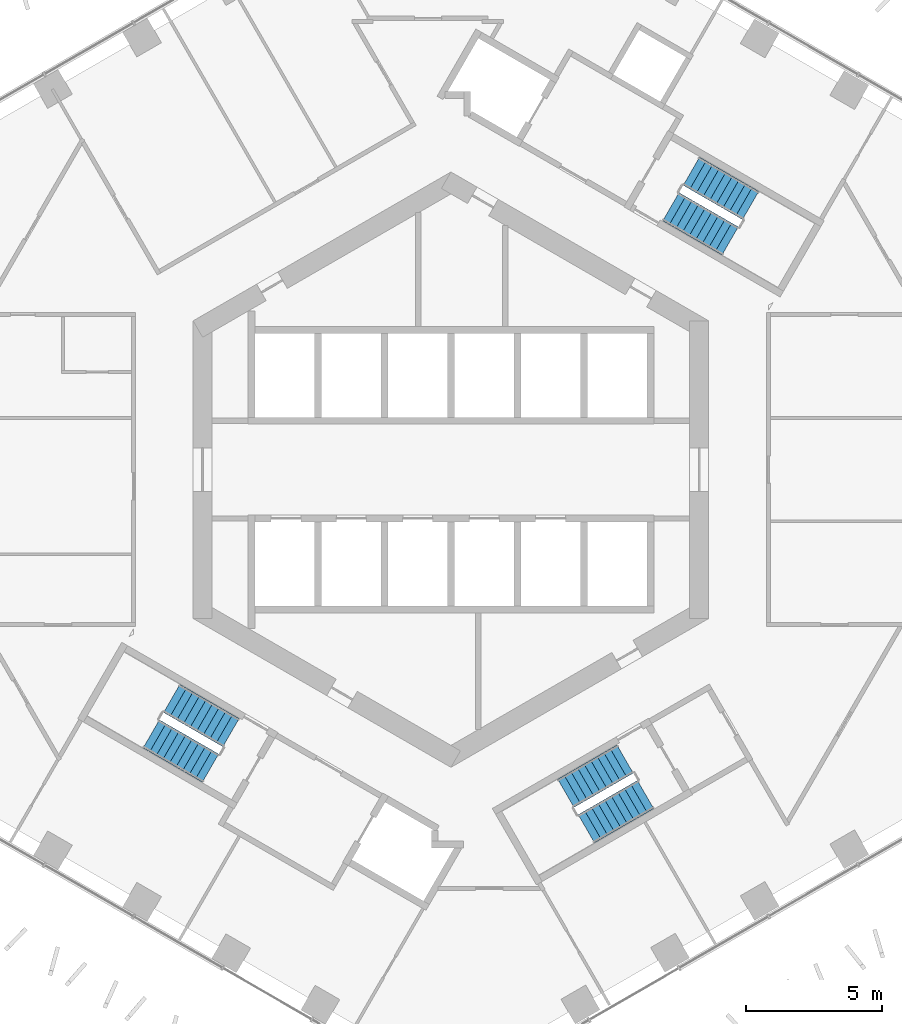
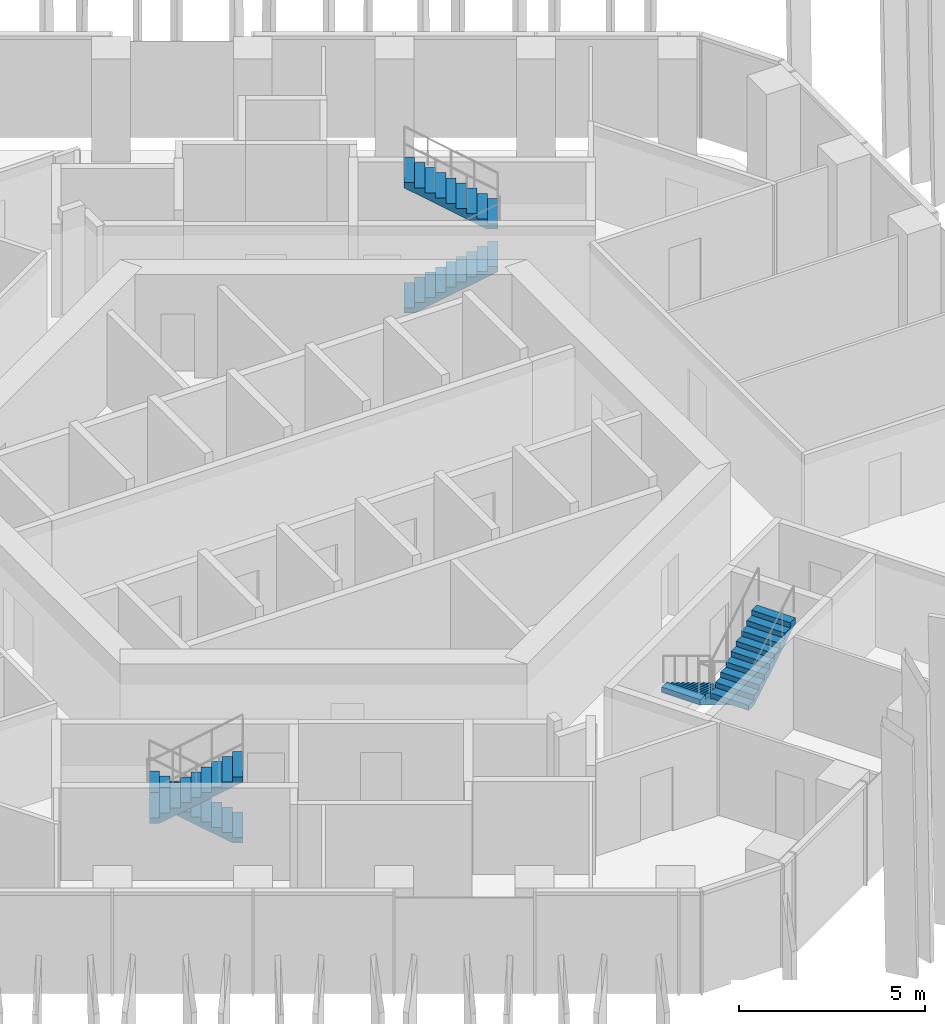
# One storey, part 15 of 18: 6 stair flights, 3 elements without a shape of their own.
"""IFC4 building model written with IfcOpenShell, lengths in metres."""

from ifc_helpers import new_model, si_unit, direction, frame, origin, place, context, subcontext, project, spatial, triangles, material, type_object, element, aggregate, save


model = new_model("IFC4")

# Units and contexts
model_context = context("Model", 3, precision=1e-05, world=origin(), true_north=direction((0.0, 1.0)))
body_context = subcontext(model_context, "Body", "Model", "MODEL_VIEW")
ifc_project = project(units=[si_unit("LENGTHUNIT", "METRE"), si_unit("AREAUNIT", "SQUARE_METRE"), si_unit("VOLUMEUNIT", "CUBIC_METRE"), si_unit("PLANEANGLEUNIT", "RADIAN"), si_unit("MASSUNIT", "GRAM", prefix="KILO")], contexts=[model_context])

# Site, building, storey
site_placement = place(None, origin())
site = spatial("IfcSite", under=ifc_project, at=site_placement, CompositionType="ELEMENT")
building_placement = place(site_placement, origin())
building = spatial("IfcBuilding", under=site, at=building_placement, Name="Ayvan Gate Tower", CompositionType="ELEMENT")
storey_placement = place(building_placement, frame((0.0, 0.0, 83.10009765625)))
storey = spatial("IfcBuildingStorey", under=building, at=storey_placement, Name="L21", CompositionType="ELEMENT", Elevation=83.10009765625)

# Stair, stair flights
ifc_material = material(Name="Concrete C40/50", Category="concrete")
stair_type = type_object("IfcStairType", Name="ST-EXIT", PredefinedType="HALF_TURN_STAIR", material=ifc_material)
stair_1_placement = place(storey_placement, origin())
stair_1 = element("IfcStair", 1, at=stair_1_placement, inside=storey, type_object=stair_type, Name="L21 Exit Stair S1", PredefinedType="HALF_TURN_STAIR")
stair_flight_type = type_object("IfcStairFlightType", Name="SFL-EXIT", PredefinedType="STRAIGHT", material=ifc_material)
stair_flight_1_placement = place(storey_placement, frame((8.106201171875, 9.690185546875, 0.0), z_axis=(0.0, 0.0, 1.0), x_axis=(0.866025403784, -0.5, 0.0)))
stair_flight_1 = element("IfcStairFlight", 2, at=stair_flight_1_placement, type_object=stair_flight_type, Name="STS1 flight 1", NumberOfRisers=10, NumberOfTreads=9, PredefinedType="STRAIGHT", RiserHeight=0.17, TreadLength=0.28, context=body_context, shape_type="Tessellation", body=[
    triangles([(0.288841, -0.599976, 0.0), (2.5205, -0.599976, 1.354936), (2.5205, -0.599976, 1.53), (2.24, -0.599976, 1.53), (2.24, -0.599976, 1.36), (1.96, -0.599976, 1.36), (1.96, -0.599976, 1.19), (1.68, -0.599976, 1.19), (1.68, -0.599976, 1.02), (1.4, -0.599976, 1.02), (1.4, -0.599976, 0.85), (1.12, -0.599976, 0.85), (1.12, -0.599976, 0.68), (0.84, -0.599976, 0.68), (0.84, -0.599976, 0.51), (0.56, -0.599976, 0.51), (0.56, -0.599976, 0.34), (0.28, -0.599976, 0.34), (0.28, -0.599976, 0.17), (-0.0005, -0.599976, 0.17), (-0.0005, -0.599976, 0.0), (0.288841, 0.0, 0.0), (2.5205, 0.0, 1.354936), (2.5205, 0.0, 1.53), (2.24, 0.0, 1.53), (2.24, 0.0, 1.36), (1.96, 0.0, 1.36), (1.96, 0.0, 1.19), (1.68, 0.0, 1.19), (1.68, 0.0, 1.02), (1.4, 0.0, 1.02), (1.4, 0.0, 0.85), (1.12, 0.0, 0.85), (1.12, 0.0, 0.68), (0.84, 0.0, 0.68), (0.84, 0.0, 0.51), (0.56, 0.0, 0.51), (0.56, 0.0, 0.34), (0.28, 0.0, 0.34), (0.28, 0.0, 0.17), (-0.0005, 0.0, 0.17), (-0.0005, 0.0, 0.0), (0.288841, 0.599976, 0.0), (2.5205, 0.599976, 1.354936), (2.5205, 0.599976, 1.53), (2.24, 0.599976, 1.53), (2.24, 0.599976, 1.36), (1.96, 0.599976, 1.36), (1.96, 0.599976, 1.19), (1.68, 0.599976, 1.19), (1.68, 0.599976, 1.02), (1.4, 0.599976, 1.02), (1.4, 0.599976, 0.85), (1.12, 0.599976, 0.85), (1.12, 0.599976, 0.68), (0.84, 0.599976, 0.68), (0.84, 0.599976, 0.51), (0.56, 0.599976, 0.51), (0.56, 0.599976, 0.34), (0.28, 0.599976, 0.34), (0.28, 0.599976, 0.17), (-0.0005, 0.599976, 0.17), (-0.0005, 0.599976, 0.0)], [[21, 1, 2], [63, 44, 43], [2, 3, 4], [44, 46, 45], [2, 4, 5], [44, 47, 46], [2, 5, 6], [44, 48, 47], [2, 6, 7], [44, 49, 48], [7, 8, 9], [49, 51, 50], [2, 7, 9], [44, 51, 49], [9, 10, 11], [51, 53, 52], [2, 9, 11], [44, 53, 51], [11, 12, 13], [53, 55, 54], [2, 11, 13], [44, 55, 53], [13, 14, 15], [55, 57, 56], [2, 13, 15], [44, 57, 55], [15, 16, 17], [57, 59, 58], [2, 15, 17], [44, 59, 57], [17, 18, 19], [59, 61, 60], [2, 17, 19], [44, 61, 59], [21, 2, 19], [63, 61, 44], [19, 20, 21], [61, 63, 62], [1, 22, 23], [1, 23, 2], [43, 23, 22], [43, 44, 23], [2, 23, 24], [2, 24, 3], [44, 24, 23], [44, 45, 24], [3, 24, 25], [3, 25, 4], [45, 25, 24], [45, 46, 25], [4, 25, 26], [4, 26, 5], [46, 26, 25], [46, 47, 26], [5, 26, 27], [5, 27, 6], [47, 27, 26], [47, 48, 27], [6, 27, 28], [6, 28, 7], [48, 28, 27], [48, 49, 28], [7, 28, 29], [7, 29, 8], [49, 29, 28], [49, 50, 29], [8, 29, 30], [8, 30, 9], [50, 30, 29], [50, 51, 30], [9, 30, 31], [9, 31, 10], [51, 31, 30], [51, 52, 31], [10, 31, 32], [10, 32, 11], [52, 32, 31], [52, 53, 32], [11, 32, 33], [11, 33, 12], [53, 33, 32], [53, 54, 33], [12, 33, 34], [12, 34, 13], [54, 34, 33], [54, 55, 34], [13, 34, 35], [13, 35, 14], [55, 35, 34], [55, 56, 35], [14, 35, 36], [14, 36, 15], [56, 36, 35], [56, 57, 36], [15, 36, 37], [15, 37, 16], [57, 37, 36], [57, 58, 37], [16, 37, 38], [16, 38, 17], [58, 38, 37], [58, 59, 38], [17, 38, 39], [17, 39, 18], [59, 39, 38], [59, 60, 39], [18, 39, 40], [18, 40, 19], [60, 40, 39], [60, 61, 40], [19, 40, 41], [19, 41, 20], [61, 41, 40], [61, 62, 41], [20, 41, 42], [20, 42, 21], [62, 42, 41], [62, 63, 42], [21, 42, 22], [21, 22, 1], [63, 22, 42], [63, 43, 22]], closed=True),
])
stair_flight_2_placement = place(storey_placement, frame((11.04345703125, 9.73779296875, 1.699951171875), z_axis=(0.0, 0.0, 1.0), x_axis=(-0.866025403784, 0.5, 0.0)))
stair_flight_2 = element("IfcStairFlight", 3, at=stair_flight_2_placement, type_object=stair_flight_type, Name="STS1 flight 2", NumberOfRisers=10, NumberOfTreads=9, PredefinedType="STRAIGHT", RiserHeight=0.17, TreadLength=0.28, context=body_context, shape_type="Tessellation", body=[
    triangles([(0.288841, -0.599976, 0.0), (2.5205, -0.599976, 1.354936), (2.5205, -0.599976, 1.53), (2.24, -0.599976, 1.53), (2.24, -0.599976, 1.36), (1.96, -0.599976, 1.36), (1.96, -0.599976, 1.19), (1.68, -0.599976, 1.19), (1.68, -0.599976, 1.02), (1.4, -0.599976, 1.02), (1.4, -0.599976, 0.85), (1.12, -0.599976, 0.85), (1.12, -0.599976, 0.68), (0.84, -0.599976, 0.68), (0.84, -0.599976, 0.51), (0.56, -0.599976, 0.51), (0.56, -0.599976, 0.34), (0.28, -0.599976, 0.34), (0.28, -0.599976, 0.17), (-0.0005, -0.599976, 0.17), (-0.0005, -0.599976, 0.0), (0.288841, 0.0, 0.0), (2.5205, 0.0, 1.354936), (2.5205, 0.0, 1.53), (2.24, 0.0, 1.53), (2.24, 0.0, 1.36), (1.96, 0.0, 1.36), (1.96, 0.0, 1.19), (1.68, 0.0, 1.19), (1.68, 0.0, 1.02), (1.4, 0.0, 1.02), (1.4, 0.0, 0.85), (1.12, 0.0, 0.85), (1.12, 0.0, 0.68), (0.84, 0.0, 0.68), (0.84, 0.0, 0.51), (0.56, 0.0, 0.51), (0.56, 0.0, 0.34), (0.28, 0.0, 0.34), (0.28, 0.0, 0.17), (-0.0005, 0.0, 0.17), (-0.0005, 0.0, 0.0), (0.288841, 0.599976, 0.0), (2.5205, 0.599976, 1.354936), (2.5205, 0.599976, 1.53), (2.24, 0.599976, 1.53), (2.24, 0.599976, 1.36), (1.96, 0.599976, 1.36), (1.96, 0.599976, 1.19), (1.68, 0.599976, 1.19), (1.68, 0.599976, 1.02), (1.4, 0.599976, 1.02), (1.4, 0.599976, 0.85), (1.12, 0.599976, 0.85), (1.12, 0.599976, 0.68), (0.84, 0.599976, 0.68), (0.84, 0.599976, 0.51), (0.56, 0.599976, 0.51), (0.56, 0.599976, 0.34), (0.28, 0.599976, 0.34), (0.28, 0.599976, 0.17), (-0.0005, 0.599976, 0.17), (-0.0005, 0.599976, 0.0)], [[21, 1, 2], [63, 44, 43], [2, 3, 4], [44, 46, 45], [2, 4, 5], [44, 47, 46], [2, 5, 6], [44, 48, 47], [2, 6, 7], [44, 49, 48], [7, 8, 9], [49, 51, 50], [2, 7, 9], [44, 51, 49], [9, 10, 11], [51, 53, 52], [2, 9, 11], [44, 53, 51], [11, 12, 13], [53, 55, 54], [2, 11, 13], [44, 55, 53], [13, 14, 15], [55, 57, 56], [2, 13, 15], [44, 57, 55], [15, 16, 17], [57, 59, 58], [2, 15, 17], [44, 59, 57], [17, 18, 19], [59, 61, 60], [2, 17, 19], [44, 61, 59], [21, 2, 19], [63, 61, 44], [19, 20, 21], [61, 63, 62], [1, 22, 23], [1, 23, 2], [43, 23, 22], [43, 44, 23], [2, 23, 24], [2, 24, 3], [44, 24, 23], [44, 45, 24], [3, 24, 25], [3, 25, 4], [45, 25, 24], [45, 46, 25], [4, 25, 26], [4, 26, 5], [46, 26, 25], [46, 47, 26], [5, 26, 27], [5, 27, 6], [47, 27, 26], [47, 48, 27], [6, 27, 28], [6, 28, 7], [48, 28, 27], [48, 49, 28], [7, 28, 29], [7, 29, 8], [49, 29, 28], [49, 50, 29], [8, 29, 30], [8, 30, 9], [50, 30, 29], [50, 51, 30], [9, 30, 31], [9, 31, 10], [51, 31, 30], [51, 52, 31], [10, 31, 32], [10, 32, 11], [52, 32, 31], [52, 53, 32], [11, 32, 33], [11, 33, 12], [53, 33, 32], [53, 54, 33], [12, 33, 34], [12, 34, 13], [54, 34, 33], [54, 55, 34], [13, 34, 35], [13, 35, 14], [55, 35, 34], [55, 56, 35], [14, 35, 36], [14, 36, 15], [56, 36, 35], [56, 57, 36], [15, 36, 37], [15, 37, 16], [57, 37, 36], [57, 58, 37], [16, 37, 38], [16, 38, 17], [58, 38, 37], [58, 59, 38], [17, 38, 39], [17, 39, 18], [59, 39, 38], [59, 60, 39], [18, 39, 40], [18, 40, 19], [60, 40, 39], [60, 61, 40], [19, 40, 41], [19, 41, 20], [61, 41, 40], [61, 62, 41], [20, 41, 42], [20, 42, 21], [62, 42, 41], [62, 63, 42], [21, 42, 22], [21, 22, 1], [63, 22, 42], [63, 43, 22]], closed=True),
])
aggregate(stair_1, [stair_flight_1, stair_flight_2])

stair_2_placement = place(storey_placement, origin())
stair_2 = element("IfcStair", 4, at=stair_2_placement, inside=storey, type_object=stair_type, Name="L21 Exit Stair S2", PredefinedType="HALF_TURN_STAIR")
stair_flight_3_placement = place(storey_placement, frame((-8.106201171875, -9.690185546875, 0.0), z_axis=(0.0, 0.0, 1.0), x_axis=(-0.866025403784, 0.5, 0.0)))
stair_flight_3 = element("IfcStairFlight", 5, at=stair_flight_3_placement, type_object=stair_flight_type, Name="STS2 flight 1", NumberOfRisers=10, NumberOfTreads=9, PredefinedType="STRAIGHT", RiserHeight=0.17, TreadLength=0.28, context=body_context, shape_type="Tessellation", body=[
    triangles([(0.288841, -0.599976, 0.0), (2.5205, -0.599976, 1.354936), (2.5205, -0.599976, 1.53), (2.24, -0.599976, 1.53), (2.24, -0.599976, 1.36), (1.96, -0.599976, 1.36), (1.96, -0.599976, 1.19), (1.68, -0.599976, 1.19), (1.68, -0.599976, 1.02), (1.4, -0.599976, 1.02), (1.4, -0.599976, 0.85), (1.12, -0.599976, 0.85), (1.12, -0.599976, 0.68), (0.84, -0.599976, 0.68), (0.84, -0.599976, 0.51), (0.56, -0.599976, 0.51), (0.56, -0.599976, 0.34), (0.28, -0.599976, 0.34), (0.28, -0.599976, 0.17), (-0.0005, -0.599976, 0.17), (-0.0005, -0.599976, 0.0), (0.288841, 0.0, 0.0), (2.5205, 0.0, 1.354936), (2.5205, 0.0, 1.53), (2.24, 0.0, 1.53), (2.24, 0.0, 1.36), (1.96, 0.0, 1.36), (1.96, 0.0, 1.19), (1.68, 0.0, 1.19), (1.68, 0.0, 1.02), (1.4, 0.0, 1.02), (1.4, 0.0, 0.85), (1.12, 0.0, 0.85), (1.12, 0.0, 0.68), (0.84, 0.0, 0.68), (0.84, 0.0, 0.51), (0.56, 0.0, 0.51), (0.56, 0.0, 0.34), (0.28, 0.0, 0.34), (0.28, 0.0, 0.17), (-0.0005, 0.0, 0.17), (-0.0005, 0.0, 0.0), (0.288841, 0.599976, 0.0), (2.5205, 0.599976, 1.354936), (2.5205, 0.599976, 1.53), (2.24, 0.599976, 1.53), (2.24, 0.599976, 1.36), (1.96, 0.599976, 1.36), (1.96, 0.599976, 1.19), (1.68, 0.599976, 1.19), (1.68, 0.599976, 1.02), (1.4, 0.599976, 1.02), (1.4, 0.599976, 0.85), (1.12, 0.599976, 0.85), (1.12, 0.599976, 0.68), (0.84, 0.599976, 0.68), (0.84, 0.599976, 0.51), (0.56, 0.599976, 0.51), (0.56, 0.599976, 0.34), (0.28, 0.599976, 0.34), (0.28, 0.599976, 0.17), (-0.0005, 0.599976, 0.17), (-0.0005, 0.599976, 0.0)], [[21, 1, 2], [63, 44, 43], [2, 3, 4], [44, 46, 45], [2, 4, 5], [44, 47, 46], [2, 5, 6], [44, 48, 47], [2, 6, 7], [44, 49, 48], [7, 8, 9], [49, 51, 50], [2, 7, 9], [44, 51, 49], [9, 10, 11], [51, 53, 52], [2, 9, 11], [44, 53, 51], [11, 12, 13], [53, 55, 54], [2, 11, 13], [44, 55, 53], [13, 14, 15], [55, 57, 56], [2, 13, 15], [44, 57, 55], [15, 16, 17], [57, 59, 58], [2, 15, 17], [44, 59, 57], [17, 18, 19], [59, 61, 60], [2, 17, 19], [44, 61, 59], [21, 2, 19], [63, 61, 44], [19, 20, 21], [61, 63, 62], [1, 22, 23], [1, 23, 2], [43, 23, 22], [43, 44, 23], [2, 23, 24], [2, 24, 3], [44, 24, 23], [44, 45, 24], [3, 24, 25], [3, 25, 4], [45, 25, 24], [45, 46, 25], [4, 25, 26], [4, 26, 5], [46, 26, 25], [46, 47, 26], [5, 26, 27], [5, 27, 6], [47, 27, 26], [47, 48, 27], [6, 27, 28], [6, 28, 7], [48, 28, 27], [48, 49, 28], [7, 28, 29], [7, 29, 8], [49, 29, 28], [49, 50, 29], [8, 29, 30], [8, 30, 9], [50, 30, 29], [50, 51, 30], [9, 30, 31], [9, 31, 10], [51, 31, 30], [51, 52, 31], [10, 31, 32], [10, 32, 11], [52, 32, 31], [52, 53, 32], [11, 32, 33], [11, 33, 12], [53, 33, 32], [53, 54, 33], [12, 33, 34], [12, 34, 13], [54, 34, 33], [54, 55, 34], [13, 34, 35], [13, 35, 14], [55, 35, 34], [55, 56, 35], [14, 35, 36], [14, 36, 15], [56, 36, 35], [56, 57, 36], [15, 36, 37], [15, 37, 16], [57, 37, 36], [57, 58, 37], [16, 37, 38], [16, 38, 17], [58, 38, 37], [58, 59, 38], [17, 38, 39], [17, 39, 18], [59, 39, 38], [59, 60, 39], [18, 39, 40], [18, 40, 19], [60, 40, 39], [60, 61, 40], [19, 40, 41], [19, 41, 20], [61, 41, 40], [61, 62, 41], [20, 41, 42], [20, 42, 21], [62, 42, 41], [62, 63, 42], [21, 42, 22], [21, 22, 1], [63, 22, 42], [63, 43, 22]], closed=True),
])
stair_flight_4_placement = place(storey_placement, frame((-11.04345703125, -9.73779296875, 1.699951171875), z_axis=(0.0, 0.0, 1.0), x_axis=(0.866025403784, -0.5, 0.0)))
stair_flight_4 = element("IfcStairFlight", 6, at=stair_flight_4_placement, type_object=stair_flight_type, Name="STS2 flight 2", NumberOfRisers=10, NumberOfTreads=9, PredefinedType="STRAIGHT", RiserHeight=0.17, TreadLength=0.28, context=body_context, shape_type="Tessellation", body=[
    triangles([(0.288841, -0.599976, 0.0), (2.5205, -0.599976, 1.354936), (2.5205, -0.599976, 1.53), (2.24, -0.599976, 1.53), (2.24, -0.599976, 1.36), (1.96, -0.599976, 1.36), (1.96, -0.599976, 1.19), (1.68, -0.599976, 1.19), (1.68, -0.599976, 1.02), (1.4, -0.599976, 1.02), (1.4, -0.599976, 0.85), (1.12, -0.599976, 0.85), (1.12, -0.599976, 0.68), (0.84, -0.599976, 0.68), (0.84, -0.599976, 0.51), (0.56, -0.599976, 0.51), (0.56, -0.599976, 0.34), (0.28, -0.599976, 0.34), (0.28, -0.599976, 0.17), (-0.0005, -0.599976, 0.17), (-0.0005, -0.599976, 0.0), (0.288841, 0.0, 0.0), (2.5205, 0.0, 1.354936), (2.5205, 0.0, 1.53), (2.24, 0.0, 1.53), (2.24, 0.0, 1.36), (1.96, 0.0, 1.36), (1.96, 0.0, 1.19), (1.68, 0.0, 1.19), (1.68, 0.0, 1.02), (1.4, 0.0, 1.02), (1.4, 0.0, 0.85), (1.12, 0.0, 0.85), (1.12, 0.0, 0.68), (0.84, 0.0, 0.68), (0.84, 0.0, 0.51), (0.56, 0.0, 0.51), (0.56, 0.0, 0.34), (0.28, 0.0, 0.34), (0.28, 0.0, 0.17), (-0.0005, 0.0, 0.17), (-0.0005, 0.0, 0.0), (0.288841, 0.599976, 0.0), (2.5205, 0.599976, 1.354936), (2.5205, 0.599976, 1.53), (2.24, 0.599976, 1.53), (2.24, 0.599976, 1.36), (1.96, 0.599976, 1.36), (1.96, 0.599976, 1.19), (1.68, 0.599976, 1.19), (1.68, 0.599976, 1.02), (1.4, 0.599976, 1.02), (1.4, 0.599976, 0.85), (1.12, 0.599976, 0.85), (1.12, 0.599976, 0.68), (0.84, 0.599976, 0.68), (0.84, 0.599976, 0.51), (0.56, 0.599976, 0.51), (0.56, 0.599976, 0.34), (0.28, 0.599976, 0.34), (0.28, 0.599976, 0.17), (-0.0005, 0.599976, 0.17), (-0.0005, 0.599976, 0.0)], [[21, 1, 2], [63, 44, 43], [2, 3, 4], [44, 46, 45], [2, 4, 5], [44, 47, 46], [2, 5, 6], [44, 48, 47], [2, 6, 7], [44, 49, 48], [7, 8, 9], [49, 51, 50], [2, 7, 9], [44, 51, 49], [9, 10, 11], [51, 53, 52], [2, 9, 11], [44, 53, 51], [11, 12, 13], [53, 55, 54], [2, 11, 13], [44, 55, 53], [13, 14, 15], [55, 57, 56], [2, 13, 15], [44, 57, 55], [15, 16, 17], [57, 59, 58], [2, 15, 17], [44, 59, 57], [17, 18, 19], [59, 61, 60], [2, 17, 19], [44, 61, 59], [21, 2, 19], [63, 61, 44], [19, 20, 21], [61, 63, 62], [1, 22, 23], [1, 23, 2], [43, 23, 22], [43, 44, 23], [2, 23, 24], [2, 24, 3], [44, 24, 23], [44, 45, 24], [3, 24, 25], [3, 25, 4], [45, 25, 24], [45, 46, 25], [4, 25, 26], [4, 26, 5], [46, 26, 25], [46, 47, 26], [5, 26, 27], [5, 27, 6], [47, 27, 26], [47, 48, 27], [6, 27, 28], [6, 28, 7], [48, 28, 27], [48, 49, 28], [7, 28, 29], [7, 29, 8], [49, 29, 28], [49, 50, 29], [8, 29, 30], [8, 30, 9], [50, 30, 29], [50, 51, 30], [9, 30, 31], [9, 31, 10], [51, 31, 30], [51, 52, 31], [10, 31, 32], [10, 32, 11], [52, 32, 31], [52, 53, 32], [11, 32, 33], [11, 33, 12], [53, 33, 32], [53, 54, 33], [12, 33, 34], [12, 34, 13], [54, 34, 33], [54, 55, 34], [13, 34, 35], [13, 35, 14], [55, 35, 34], [55, 56, 35], [14, 35, 36], [14, 36, 15], [56, 36, 35], [56, 57, 36], [15, 36, 37], [15, 37, 16], [57, 37, 36], [57, 58, 37], [16, 37, 38], [16, 38, 17], [58, 38, 37], [58, 59, 38], [17, 38, 39], [17, 39, 18], [59, 39, 38], [59, 60, 39], [18, 39, 40], [18, 40, 19], [60, 40, 39], [60, 61, 40], [19, 40, 41], [19, 41, 20], [61, 41, 40], [61, 62, 41], [20, 41, 42], [20, 42, 21], [62, 42, 41], [62, 63, 42], [21, 42, 22], [21, 22, 1], [63, 22, 42], [63, 43, 22]], closed=True),
])
aggregate(stair_2, [stair_flight_3, stair_flight_4])

stair_3_placement = place(storey_placement, origin())
stair_3 = element("IfcStair", 7, at=stair_3_placement, inside=storey, type_object=stair_type, Name="L21 Exit Stair S3", PredefinedType="HALF_TURN_STAIR")
stair_flight_5_placement = place(storey_placement, frame((6.417236328125, -10.665283203125, 0.0), z_axis=(0.0, 0.0, 1.0), x_axis=(-0.866025403784, -0.5, 0.0)))
stair_flight_5 = element("IfcStairFlight", 8, at=stair_flight_5_placement, type_object=stair_flight_type, Name="STS3 flight 1", NumberOfRisers=10, NumberOfTreads=9, PredefinedType="STRAIGHT", RiserHeight=0.17, TreadLength=0.28, context=body_context, shape_type="Tessellation", body=[
    triangles([(0.288841, -0.599976, 0.0), (2.5205, -0.599976, 1.354936), (2.5205, -0.599976, 1.53), (2.24, -0.599976, 1.53), (2.24, -0.599976, 1.36), (1.96, -0.599976, 1.36), (1.96, -0.599976, 1.19), (1.68, -0.599976, 1.19), (1.68, -0.599976, 1.02), (1.4, -0.599976, 1.02), (1.4, -0.599976, 0.85), (1.12, -0.599976, 0.85), (1.12, -0.599976, 0.68), (0.84, -0.599976, 0.68), (0.84, -0.599976, 0.51), (0.56, -0.599976, 0.51), (0.56, -0.599976, 0.34), (0.28, -0.599976, 0.34), (0.28, -0.599976, 0.17), (-0.0005, -0.599976, 0.17), (-0.0005, -0.599976, 0.0), (0.288841, 0.0, 0.0), (2.5205, 0.0, 1.354936), (2.5205, 0.0, 1.53), (2.24, 0.0, 1.53), (2.24, 0.0, 1.36), (1.96, 0.0, 1.36), (1.96, 0.0, 1.19), (1.68, 0.0, 1.19), (1.68, 0.0, 1.02), (1.4, 0.0, 1.02), (1.4, 0.0, 0.85), (1.12, 0.0, 0.85), (1.12, 0.0, 0.68), (0.84, 0.0, 0.68), (0.84, 0.0, 0.51), (0.56, 0.0, 0.51), (0.56, 0.0, 0.34), (0.28, 0.0, 0.34), (0.28, 0.0, 0.17), (-0.0005, 0.0, 0.17), (-0.0005, 0.0, 0.0), (0.288841, 0.599976, 0.0), (2.5205, 0.599976, 1.354936), (2.5205, 0.599976, 1.53), (2.24, 0.599976, 1.53), (2.24, 0.599976, 1.36), (1.96, 0.599976, 1.36), (1.96, 0.599976, 1.19), (1.68, 0.599976, 1.19), (1.68, 0.599976, 1.02), (1.4, 0.599976, 1.02), (1.4, 0.599976, 0.85), (1.12, 0.599976, 0.85), (1.12, 0.599976, 0.68), (0.84, 0.599976, 0.68), (0.84, 0.599976, 0.51), (0.56, 0.599976, 0.51), (0.56, 0.599976, 0.34), (0.28, 0.599976, 0.34), (0.28, 0.599976, 0.17), (-0.0005, 0.599976, 0.17), (-0.0005, 0.599976, 0.0)], [[21, 1, 2], [63, 44, 43], [2, 3, 4], [44, 46, 45], [2, 4, 5], [44, 47, 46], [2, 5, 6], [44, 48, 47], [2, 6, 7], [44, 49, 48], [7, 8, 9], [49, 51, 50], [2, 7, 9], [44, 51, 49], [9, 10, 11], [51, 53, 52], [2, 9, 11], [44, 53, 51], [11, 12, 13], [53, 55, 54], [2, 11, 13], [44, 55, 53], [13, 14, 15], [55, 57, 56], [2, 13, 15], [44, 57, 55], [15, 16, 17], [57, 59, 58], [2, 15, 17], [44, 59, 57], [17, 18, 19], [59, 61, 60], [2, 17, 19], [44, 61, 59], [21, 2, 19], [63, 61, 44], [19, 20, 21], [61, 63, 62], [1, 22, 23], [1, 23, 2], [43, 23, 22], [43, 44, 23], [2, 23, 24], [2, 24, 3], [44, 24, 23], [44, 45, 24], [3, 24, 25], [3, 25, 4], [45, 25, 24], [45, 46, 25], [4, 25, 26], [4, 26, 5], [46, 26, 25], [46, 47, 26], [5, 26, 27], [5, 27, 6], [47, 27, 26], [47, 48, 27], [6, 27, 28], [6, 28, 7], [48, 28, 27], [48, 49, 28], [7, 28, 29], [7, 29, 8], [49, 29, 28], [49, 50, 29], [8, 29, 30], [8, 30, 9], [50, 30, 29], [50, 51, 30], [9, 30, 31], [9, 31, 10], [51, 31, 30], [51, 52, 31], [10, 31, 32], [10, 32, 11], [52, 32, 31], [52, 53, 32], [11, 32, 33], [11, 33, 12], [53, 33, 32], [53, 54, 33], [12, 33, 34], [12, 34, 13], [54, 34, 33], [54, 55, 34], [13, 34, 35], [13, 35, 14], [55, 35, 34], [55, 56, 35], [14, 35, 36], [14, 36, 15], [56, 36, 35], [56, 57, 36], [15, 36, 37], [15, 37, 16], [57, 37, 36], [57, 58, 37], [16, 37, 38], [16, 38, 17], [58, 38, 37], [58, 59, 38], [17, 38, 39], [17, 39, 18], [59, 39, 38], [59, 60, 39], [18, 39, 40], [18, 40, 19], [60, 40, 39], [60, 61, 40], [19, 40, 41], [19, 41, 20], [61, 41, 40], [61, 62, 41], [20, 41, 42], [20, 42, 21], [62, 42, 41], [62, 63, 42], [21, 42, 22], [21, 22, 1], [63, 22, 42], [63, 43, 22]], closed=True),
])
stair_flight_6_placement = place(storey_placement, frame((4.989990234375, -13.23291015625, 1.699951171875), z_axis=(0.0, 0.0, 1.0), x_axis=(0.866025403784, 0.5, 0.0)))
stair_flight_6 = element("IfcStairFlight", 9, at=stair_flight_6_placement, type_object=stair_flight_type, Name="STS3 flight 2", NumberOfRisers=10, NumberOfTreads=9, PredefinedType="STRAIGHT", RiserHeight=0.17, TreadLength=0.28, context=body_context, shape_type="Tessellation", body=[
    triangles([(0.288841, -0.599976, 0.0), (2.5205, -0.599976, 1.354936), (2.5205, -0.599976, 1.53), (2.24, -0.599976, 1.53), (2.24, -0.599976, 1.36), (1.96, -0.599976, 1.36), (1.96, -0.599976, 1.19), (1.68, -0.599976, 1.19), (1.68, -0.599976, 1.02), (1.4, -0.599976, 1.02), (1.4, -0.599976, 0.85), (1.12, -0.599976, 0.85), (1.12, -0.599976, 0.68), (0.84, -0.599976, 0.68), (0.84, -0.599976, 0.51), (0.56, -0.599976, 0.51), (0.56, -0.599976, 0.34), (0.28, -0.599976, 0.34), (0.28, -0.599976, 0.17), (-0.0005, -0.599976, 0.17), (-0.0005, -0.599976, 0.0), (0.288841, 0.0, 0.0), (2.5205, 0.0, 1.354936), (2.5205, 0.0, 1.53), (2.24, 0.0, 1.53), (2.24, 0.0, 1.36), (1.96, 0.0, 1.36), (1.96, 0.0, 1.19), (1.68, 0.0, 1.19), (1.68, 0.0, 1.02), (1.4, 0.0, 1.02), (1.4, 0.0, 0.85), (1.12, 0.0, 0.85), (1.12, 0.0, 0.68), (0.84, 0.0, 0.68), (0.84, 0.0, 0.51), (0.56, 0.0, 0.51), (0.56, 0.0, 0.34), (0.28, 0.0, 0.34), (0.28, 0.0, 0.17), (-0.0005, 0.0, 0.17), (-0.0005, 0.0, 0.0), (0.288841, 0.599976, 0.0), (2.5205, 0.599976, 1.354936), (2.5205, 0.599976, 1.53), (2.24, 0.599976, 1.53), (2.24, 0.599976, 1.36), (1.96, 0.599976, 1.36), (1.96, 0.599976, 1.19), (1.68, 0.599976, 1.19), (1.68, 0.599976, 1.02), (1.4, 0.599976, 1.02), (1.4, 0.599976, 0.85), (1.12, 0.599976, 0.85), (1.12, 0.599976, 0.68), (0.84, 0.599976, 0.68), (0.84, 0.599976, 0.51), (0.56, 0.599976, 0.51), (0.56, 0.599976, 0.34), (0.28, 0.599976, 0.34), (0.28, 0.599976, 0.17), (-0.0005, 0.599976, 0.17), (-0.0005, 0.599976, 0.0)], [[21, 1, 2], [63, 44, 43], [2, 3, 4], [44, 46, 45], [2, 4, 5], [44, 47, 46], [2, 5, 6], [44, 48, 47], [2, 6, 7], [44, 49, 48], [7, 8, 9], [49, 51, 50], [2, 7, 9], [44, 51, 49], [9, 10, 11], [51, 53, 52], [2, 9, 11], [44, 53, 51], [11, 12, 13], [53, 55, 54], [2, 11, 13], [44, 55, 53], [13, 14, 15], [55, 57, 56], [2, 13, 15], [44, 57, 55], [15, 16, 17], [57, 59, 58], [2, 15, 17], [44, 59, 57], [17, 18, 19], [59, 61, 60], [2, 17, 19], [44, 61, 59], [21, 2, 19], [63, 61, 44], [19, 20, 21], [61, 63, 62], [1, 22, 23], [1, 23, 2], [43, 23, 22], [43, 44, 23], [2, 23, 24], [2, 24, 3], [44, 24, 23], [44, 45, 24], [3, 24, 25], [3, 25, 4], [45, 25, 24], [45, 46, 25], [4, 25, 26], [4, 26, 5], [46, 26, 25], [46, 47, 26], [5, 26, 27], [5, 27, 6], [47, 27, 26], [47, 48, 27], [6, 27, 28], [6, 28, 7], [48, 28, 27], [48, 49, 28], [7, 28, 29], [7, 29, 8], [49, 29, 28], [49, 50, 29], [8, 29, 30], [8, 30, 9], [50, 30, 29], [50, 51, 30], [9, 30, 31], [9, 31, 10], [51, 31, 30], [51, 52, 31], [10, 31, 32], [10, 32, 11], [52, 32, 31], [52, 53, 32], [11, 32, 33], [11, 33, 12], [53, 33, 32], [53, 54, 33], [12, 33, 34], [12, 34, 13], [54, 34, 33], [54, 55, 34], [13, 34, 35], [13, 35, 14], [55, 35, 34], [55, 56, 35], [14, 35, 36], [14, 36, 15], [56, 36, 35], [56, 57, 36], [15, 36, 37], [15, 37, 16], [57, 37, 36], [57, 58, 37], [16, 37, 38], [16, 38, 17], [58, 38, 37], [58, 59, 38], [17, 38, 39], [17, 39, 18], [59, 39, 38], [59, 60, 39], [18, 39, 40], [18, 40, 19], [60, 40, 39], [60, 61, 40], [19, 40, 41], [19, 41, 20], [61, 41, 40], [61, 62, 41], [20, 41, 42], [20, 42, 21], [62, 42, 41], [62, 63, 42], [21, 42, 22], [21, 22, 1], [63, 22, 42], [63, 43, 22]], closed=True),
])
aggregate(stair_3, [stair_flight_5, stair_flight_6])

save(model, "model.ifc")
